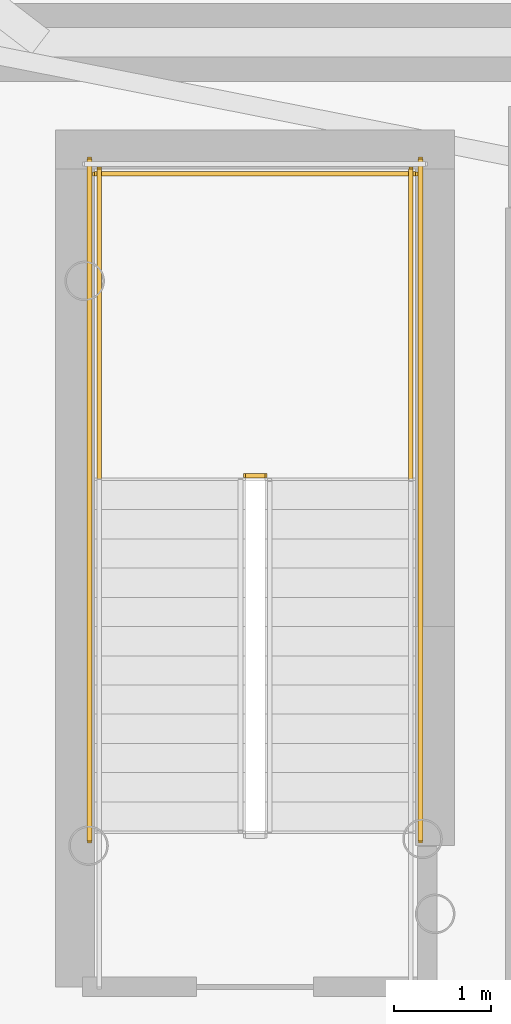
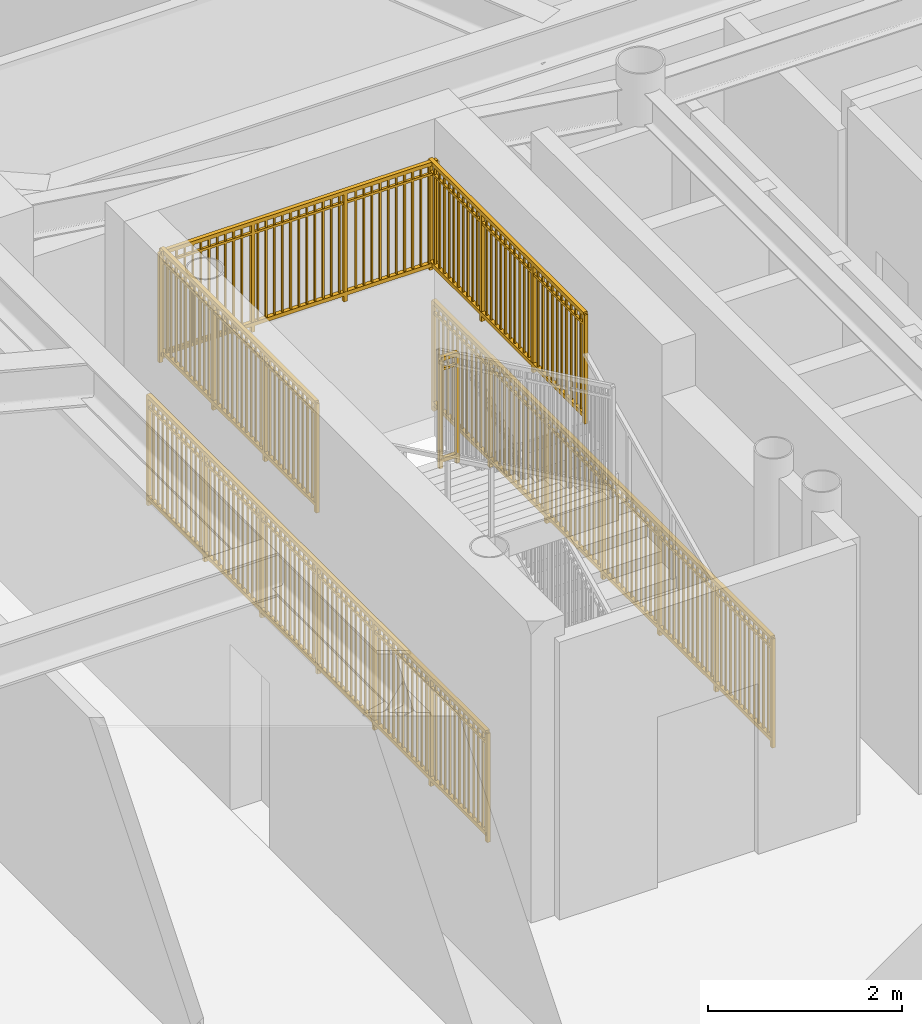
# One storey, part 19 of 22: 6 railings.
"""IFC4 building model written with IfcOpenShell, lengths in metres."""

from ifc_helpers import new_model, si_unit, direction, frame, origin, origin_2d, place, context, subcontext, project, spatial, rectangle, extrude, source, transform, mapped, material, type_object, element, save


model = new_model("IFC4")

# Units and contexts
model_context = context("Model", 3, precision=1e-05, world=origin(), true_north=direction((0.0, 1.0)))
body_context = subcontext(model_context, "Body", "Model", "MODEL_VIEW")
ifc_project = project(units=[si_unit("LENGTHUNIT", "METRE"), si_unit("AREAUNIT", "SQUARE_METRE"), si_unit("VOLUMEUNIT", "CUBIC_METRE"), si_unit("PLANEANGLEUNIT", "RADIAN"), si_unit("MASSUNIT", "GRAM", prefix="KILO")], contexts=[model_context])

# Site, building, storey
site_placement = place(None, origin())
site = spatial("IfcSite", under=ifc_project, at=site_placement, CompositionType="ELEMENT")
building_placement = place(site_placement, origin())
building = spatial("IfcBuilding", under=site, at=building_placement, Name="Linh Dai School and Residence Tower", CompositionType="ELEMENT")
storey_placement = place(building_placement, frame((0.0, 0.0, 130.949951171875)))
storey = spatial("IfcBuildingStorey", under=building, at=storey_placement, Name="L31", CompositionType="ELEMENT", Elevation=130.949951171875)

# Railings
ifc_material = material(Name="Structural Steel S355JR", Category="steel")
railing_type = type_object("IfcRailingType", Name="RL-ST-GUARD-1400", PredefinedType="GUARDRAIL", material=ifc_material)
shared_shape_1 = source(origin(), body_context, "Body", "SweptSolid", [
    extrude(rectangle(XDim=0.048095703125, YDim=0.048095703125, at=origin_2d()), frame((0.0, 0.0, 1.3759765625), z_axis=(-1.0, 0.0, 0.0), x_axis=(0.0, -1.0, 0.0)), (0.0, 0.0, 1.0), 0.199951171875),
    extrude(rectangle(XDim=0.048095703125, YDim=0.048095703125, at=origin_2d()), frame((0.0, 0.0, 0.10009765625), z_axis=(-1.0, 0.0, 0.0), x_axis=(0.0, -1.0, 0.0)), (0.0, 0.0, 1.0), 0.199951171875),
    extrude(rectangle(XDim=0.030029296875, YDim=0.030029296875, at=origin_2d()), frame((0.0, 0.0, 1.239990234375), z_axis=(-1.0, 0.0, 0.0), x_axis=(0.0, -1.0, 0.0)), (0.0, 0.0, 1.0), 0.199951171875),
    extrude(rectangle(XDim=0.0419921875, YDim=0.0419921875, at=origin_2d()), origin(), (0.0, 0.0, 1.0), 1.3759765625),
    extrude(rectangle(XDim=0.0419921875, YDim=0.0419921875, at=origin_2d()), frame((-0.199951171875, 0.0, 0.0)), (0.0, 0.0, 1.0), 1.3759765625),
])
railing_1_placement = place(storey_placement, frame((29.429931640625, 29.35009765625, 1.875)))
element("IfcRailing", 1, at=railing_1_placement, inside=storey, type_object=railing_type, Name="L31 ST1 stair guard 2", PredefinedType="GUARDRAIL", context=body_context, shape_type="MappedRepresentation", body=[
    mapped(shared_shape_1, transform((0.0, 0.0, 0.0), x_axis=(1.0, 0.0, 0.0), y_axis=(0.0, 1.0, 0.0), z_axis=(0.0, 0.0, 1.0), scale=1.0)),
])
shared_shape_2 = source(origin(), body_context, "Body", "SweptSolid", [
    extrude(rectangle(XDim=0.048095703125, YDim=0.048095703125, at=origin_2d()), frame((0.0, 0.0, 1.3759765625), z_axis=(-1.0, 0.0, 0.0), x_axis=(0.0, -1.0, 0.0)), (0.0, 0.0, 1.0), 3.300048828125),
    extrude(rectangle(XDim=0.048095703125, YDim=0.048095703125, at=origin_2d()), frame((0.0, 0.0, 0.10009765625), z_axis=(-1.0, 0.0, 0.0), x_axis=(0.0, -1.0, 0.0)), (0.0, 0.0, 1.0), 3.300048828125),
    extrude(rectangle(XDim=0.030029296875, YDim=0.030029296875, at=origin_2d()), frame((0.0, 0.0, 1.239990234375), z_axis=(-1.0, 0.0, 0.0), x_axis=(0.0, -1.0, 0.0)), (0.0, 0.0, 1.0), 3.300048828125),
    extrude(rectangle(XDim=0.02001953125, YDim=0.02001953125, at=origin_2d()), frame((-0.09716796875, 0.0, 0.10009765625)), (0.0, 0.0, 1.0), 1.251708984375),
    extrude(rectangle(XDim=0.02001953125, YDim=0.02001953125, at=origin_2d()), frame((-0.194091796875, 0.0, 0.10009765625)), (0.0, 0.0, 1.0), 1.251708984375),
    extrude(rectangle(XDim=0.02001953125, YDim=0.02001953125, at=origin_2d()), frame((-0.291259765625, 0.0, 0.10009765625)), (0.0, 0.0, 1.0), 1.251708984375),
    extrude(rectangle(XDim=0.02001953125, YDim=0.02001953125, at=origin_2d()), frame((-0.38818359375, 0.0, 0.10009765625)), (0.0, 0.0, 1.0), 1.251708984375),
    extrude(rectangle(XDim=0.02001953125, YDim=0.02001953125, at=origin_2d()), frame((-0.4853515625, 0.0, 0.10009765625)), (0.0, 0.0, 1.0), 1.251708984375),
    extrude(rectangle(XDim=0.02001953125, YDim=0.02001953125, at=origin_2d()), frame((-0.582275390625, 0.0, 0.10009765625)), (0.0, 0.0, 1.0), 1.251708984375),
    extrude(rectangle(XDim=0.02001953125, YDim=0.02001953125, at=origin_2d()), frame((-0.679443359375, 0.0, 0.10009765625)), (0.0, 0.0, 1.0), 1.251708984375),
    extrude(rectangle(XDim=0.02001953125, YDim=0.02001953125, at=origin_2d()), frame((-0.7763671875, 0.0, 0.10009765625)), (0.0, 0.0, 1.0), 1.251708984375),
    extrude(rectangle(XDim=0.02001953125, YDim=0.02001953125, at=origin_2d()), frame((-0.87353515625, 0.0, 0.10009765625)), (0.0, 0.0, 1.0), 1.251708984375),
    extrude(rectangle(XDim=0.02001953125, YDim=0.02001953125, at=origin_2d()), frame((-0.970703125, 0.0, 0.10009765625)), (0.0, 0.0, 1.0), 1.251708984375),
    extrude(rectangle(XDim=0.02001953125, YDim=0.02001953125, at=origin_2d()), frame((-1.164794921875, 0.0, 0.10009765625)), (0.0, 0.0, 1.0), 1.251708984375),
    extrude(rectangle(XDim=0.02001953125, YDim=0.02001953125, at=origin_2d()), frame((-1.26171875, 0.0, 0.10009765625)), (0.0, 0.0, 1.0), 1.251708984375),
    extrude(rectangle(XDim=0.02001953125, YDim=0.02001953125, at=origin_2d()), frame((-1.35888671875, 0.0, 0.10009765625)), (0.0, 0.0, 1.0), 1.251708984375),
    extrude(rectangle(XDim=0.02001953125, YDim=0.02001953125, at=origin_2d()), frame((-1.455810546875, 0.0, 0.10009765625)), (0.0, 0.0, 1.0), 1.251708984375),
    extrude(rectangle(XDim=0.02001953125, YDim=0.02001953125, at=origin_2d()), frame((-1.552978515625, 0.0, 0.10009765625)), (0.0, 0.0, 1.0), 1.251708984375),
    extrude(rectangle(XDim=0.02001953125, YDim=0.02001953125, at=origin_2d()), frame((-1.64990234375, 0.0, 0.10009765625)), (0.0, 0.0, 1.0), 1.251708984375),
    extrude(rectangle(XDim=0.02001953125, YDim=0.02001953125, at=origin_2d()), frame((-1.7470703125, 0.0, 0.10009765625)), (0.0, 0.0, 1.0), 1.251708984375),
    extrude(rectangle(XDim=0.02001953125, YDim=0.02001953125, at=origin_2d()), frame((-1.84423828125, 0.0, 0.10009765625)), (0.0, 0.0, 1.0), 1.251708984375),
    extrude(rectangle(XDim=0.02001953125, YDim=0.02001953125, at=origin_2d()), frame((-1.941162109375, 0.0, 0.10009765625)), (0.0, 0.0, 1.0), 1.251708984375),
    extrude(rectangle(XDim=0.02001953125, YDim=0.02001953125, at=origin_2d()), frame((-2.038330078125, 0.0, 0.10009765625)), (0.0, 0.0, 1.0), 1.251708984375),
    extrude(rectangle(XDim=0.02001953125, YDim=0.02001953125, at=origin_2d()), frame((-2.13525390625, 0.0, 0.10009765625)), (0.0, 0.0, 1.0), 1.251708984375),
    extrude(rectangle(XDim=0.02001953125, YDim=0.02001953125, at=origin_2d()), frame((-2.329345703125, 0.0, 0.10009765625)), (0.0, 0.0, 1.0), 1.251708984375),
    extrude(rectangle(XDim=0.02001953125, YDim=0.02001953125, at=origin_2d()), frame((-2.426513671875, 0.0, 0.10009765625)), (0.0, 0.0, 1.0), 1.251708984375),
    extrude(rectangle(XDim=0.02001953125, YDim=0.02001953125, at=origin_2d()), frame((-2.523681640625, 0.0, 0.10009765625)), (0.0, 0.0, 1.0), 1.251708984375),
    extrude(rectangle(XDim=0.02001953125, YDim=0.02001953125, at=origin_2d()), frame((-2.62060546875, 0.0, 0.10009765625)), (0.0, 0.0, 1.0), 1.251708984375),
    extrude(rectangle(XDim=0.02001953125, YDim=0.02001953125, at=origin_2d()), frame((-2.7177734375, 0.0, 0.10009765625)), (0.0, 0.0, 1.0), 1.251708984375),
    extrude(rectangle(XDim=0.02001953125, YDim=0.02001953125, at=origin_2d()), frame((-2.814697265625, 0.0, 0.10009765625)), (0.0, 0.0, 1.0), 1.251708984375),
    extrude(rectangle(XDim=0.02001953125, YDim=0.02001953125, at=origin_2d()), frame((-2.911865234375, 0.0, 0.10009765625)), (0.0, 0.0, 1.0), 1.251708984375),
    extrude(rectangle(XDim=0.02001953125, YDim=0.02001953125, at=origin_2d()), frame((-3.0087890625, 0.0, 0.10009765625)), (0.0, 0.0, 1.0), 1.251708984375),
    extrude(rectangle(XDim=0.02001953125, YDim=0.02001953125, at=origin_2d()), frame((-3.10595703125, 0.0, 0.10009765625)), (0.0, 0.0, 1.0), 1.251708984375),
    extrude(rectangle(XDim=0.02001953125, YDim=0.02001953125, at=origin_2d()), frame((-3.202880859375, 0.0, 0.10009765625)), (0.0, 0.0, 1.0), 1.251708984375),
    extrude(rectangle(XDim=0.0419921875, YDim=0.0419921875, at=origin_2d()), origin(), (0.0, 0.0, 1.0), 1.3759765625),
    extrude(rectangle(XDim=0.0419921875, YDim=0.0419921875, at=origin_2d()), frame((-1.10009765625, 0.0, 0.0)), (0.0, 0.0, 1.0), 1.3759765625),
    extrude(rectangle(XDim=0.0419921875, YDim=0.0419921875, at=origin_2d()), frame((-2.199951171875, 0.0, 0.0)), (0.0, 0.0, 1.0), 1.3759765625),
    extrude(rectangle(XDim=0.0419921875, YDim=0.0419921875, at=origin_2d()), frame((-3.300048828125, 0.0, 0.0)), (0.0, 0.0, 1.0), 1.3759765625),
])
railing_2_placement = place(storey_placement, frame((30.97998046875, 32.449951171875, 1.875)))
element("IfcRailing", 2, at=railing_2_placement, inside=storey, type_object=railing_type, Name="L31 ST1 stair guard 5", PredefinedType="GUARDRAIL", context=body_context, shape_type="MappedRepresentation", body=[
    mapped(shared_shape_2, transform((0.0, 0.0, 0.0), x_axis=(1.0, 0.0, 0.0), y_axis=(0.0, 1.0, 0.0), z_axis=(0.0, 0.0, 1.0), scale=1.0)),
])
shared_shape_3 = source(origin(), body_context, "Body", "SweptSolid", [
    extrude(rectangle(XDim=0.048095703125, YDim=0.048095703125, at=origin_2d()), frame((0.0, 0.0, 1.3759765625), z_axis=(0.0, 1.0, 0.0), x_axis=(-1.0, 0.0, 0.0)), (0.0, 0.0, 1.0), 7.0),
    extrude(rectangle(XDim=0.048095703125, YDim=0.048095703125, at=origin_2d()), frame((0.0, 0.0, 0.10009765625), z_axis=(0.0, 1.0, 0.0), x_axis=(-1.0, 0.0, 0.0)), (0.0, 0.0, 1.0), 7.0),
    extrude(rectangle(XDim=0.030029296875, YDim=0.030029296875, at=origin_2d()), frame((0.0, 0.0, 1.239990234375), z_axis=(0.0, 1.0, 0.0), x_axis=(-1.0, 0.0, 0.0)), (0.0, 0.0, 1.0), 7.0),
    extrude(rectangle(XDim=0.02001953125, YDim=0.02001953125, at=origin_2d()), frame((0.0, 0.09716796875, 0.10009765625)), (0.0, 0.0, 1.0), 1.251708984375),
    extrude(rectangle(XDim=0.02001953125, YDim=0.02001953125, at=origin_2d()), frame((0.0, 0.1943359375, 0.10009765625)), (0.0, 0.0, 1.0), 1.251708984375),
    extrude(rectangle(XDim=0.02001953125, YDim=0.02001953125, at=origin_2d()), frame((0.0, 0.291748046875, 0.10009765625)), (0.0, 0.0, 1.0), 1.251708984375),
    extrude(rectangle(XDim=0.02001953125, YDim=0.02001953125, at=origin_2d()), frame((0.0, 0.388916015625, 0.10009765625)), (0.0, 0.0, 1.0), 1.251708984375),
    extrude(rectangle(XDim=0.02001953125, YDim=0.02001953125, at=origin_2d()), frame((0.0, 0.486083984375, 0.10009765625)), (0.0, 0.0, 1.0), 1.251708984375),
    extrude(rectangle(XDim=0.02001953125, YDim=0.02001953125, at=origin_2d()), frame((0.0, 0.583251953125, 0.10009765625)), (0.0, 0.0, 1.0), 1.251708984375),
    extrude(rectangle(XDim=0.02001953125, YDim=0.02001953125, at=origin_2d()), frame((0.0, 0.6806640625, 0.10009765625)), (0.0, 0.0, 1.0), 1.251708984375),
    extrude(rectangle(XDim=0.02001953125, YDim=0.02001953125, at=origin_2d()), frame((0.0, 0.77783203125, 0.10009765625)), (0.0, 0.0, 1.0), 1.251708984375),
    extrude(rectangle(XDim=0.02001953125, YDim=0.02001953125, at=origin_2d()), frame((0.0, 0.875, 0.10009765625)), (0.0, 0.0, 1.0), 1.251708984375),
    extrude(rectangle(XDim=0.02001953125, YDim=0.02001953125, at=origin_2d()), frame((0.0, 0.97216796875, 0.10009765625)), (0.0, 0.0, 1.0), 1.251708984375),
    extrude(rectangle(XDim=0.02001953125, YDim=0.02001953125, at=origin_2d()), frame((0.0, 1.0693359375, 0.10009765625)), (0.0, 0.0, 1.0), 1.251708984375),
    extrude(rectangle(XDim=0.02001953125, YDim=0.02001953125, at=origin_2d()), frame((0.0, 1.263916015625, 0.10009765625)), (0.0, 0.0, 1.0), 1.251708984375),
    extrude(rectangle(XDim=0.02001953125, YDim=0.02001953125, at=origin_2d()), frame((0.0, 1.361083984375, 0.10009765625)), (0.0, 0.0, 1.0), 1.251708984375),
    extrude(rectangle(XDim=0.02001953125, YDim=0.02001953125, at=origin_2d()), frame((0.0, 1.458251953125, 0.10009765625)), (0.0, 0.0, 1.0), 1.251708984375),
    extrude(rectangle(XDim=0.02001953125, YDim=0.02001953125, at=origin_2d()), frame((0.0, 1.5556640625, 0.10009765625)), (0.0, 0.0, 1.0), 1.251708984375),
    extrude(rectangle(XDim=0.02001953125, YDim=0.02001953125, at=origin_2d()), frame((0.0, 1.65283203125, 0.10009765625)), (0.0, 0.0, 1.0), 1.251708984375),
    extrude(rectangle(XDim=0.02001953125, YDim=0.02001953125, at=origin_2d()), frame((0.0, 1.75, 0.10009765625)), (0.0, 0.0, 1.0), 1.251708984375),
    extrude(rectangle(XDim=0.02001953125, YDim=0.02001953125, at=origin_2d()), frame((0.0, 1.84716796875, 0.10009765625)), (0.0, 0.0, 1.0), 1.251708984375),
    extrude(rectangle(XDim=0.02001953125, YDim=0.02001953125, at=origin_2d()), frame((0.0, 1.9443359375, 0.10009765625)), (0.0, 0.0, 1.0), 1.251708984375),
    extrude(rectangle(XDim=0.02001953125, YDim=0.02001953125, at=origin_2d()), frame((0.0, 2.041748046875, 0.10009765625)), (0.0, 0.0, 1.0), 1.251708984375),
    extrude(rectangle(XDim=0.02001953125, YDim=0.02001953125, at=origin_2d()), frame((0.0, 2.138916015625, 0.10009765625)), (0.0, 0.0, 1.0), 1.251708984375),
    extrude(rectangle(XDim=0.02001953125, YDim=0.02001953125, at=origin_2d()), frame((0.0, 2.236083984375, 0.10009765625)), (0.0, 0.0, 1.0), 1.251708984375),
    extrude(rectangle(XDim=0.02001953125, YDim=0.02001953125, at=origin_2d()), frame((0.0, 2.4306640625, 0.10009765625)), (0.0, 0.0, 1.0), 1.251708984375),
    extrude(rectangle(XDim=0.02001953125, YDim=0.02001953125, at=origin_2d()), frame((0.0, 2.52783203125, 0.10009765625)), (0.0, 0.0, 1.0), 1.251708984375),
    extrude(rectangle(XDim=0.02001953125, YDim=0.02001953125, at=origin_2d()), frame((0.0, 2.625, 0.10009765625)), (0.0, 0.0, 1.0), 1.251708984375),
    extrude(rectangle(XDim=0.02001953125, YDim=0.02001953125, at=origin_2d()), frame((0.0, 2.72216796875, 0.10009765625)), (0.0, 0.0, 1.0), 1.251708984375),
    extrude(rectangle(XDim=0.02001953125, YDim=0.02001953125, at=origin_2d()), frame((0.0, 2.8193359375, 0.10009765625)), (0.0, 0.0, 1.0), 1.251708984375),
    extrude(rectangle(XDim=0.02001953125, YDim=0.02001953125, at=origin_2d()), frame((0.0, 2.916748046875, 0.10009765625)), (0.0, 0.0, 1.0), 1.251708984375),
    extrude(rectangle(XDim=0.02001953125, YDim=0.02001953125, at=origin_2d()), frame((0.0, 3.013916015625, 0.10009765625)), (0.0, 0.0, 1.0), 1.251708984375),
    extrude(rectangle(XDim=0.02001953125, YDim=0.02001953125, at=origin_2d()), frame((0.0, 3.111083984375, 0.10009765625)), (0.0, 0.0, 1.0), 1.251708984375),
    extrude(rectangle(XDim=0.02001953125, YDim=0.02001953125, at=origin_2d()), frame((0.0, 3.208251953125, 0.10009765625)), (0.0, 0.0, 1.0), 1.251708984375),
    extrude(rectangle(XDim=0.02001953125, YDim=0.02001953125, at=origin_2d()), frame((0.0, 3.3056640625, 0.10009765625)), (0.0, 0.0, 1.0), 1.251708984375),
    extrude(rectangle(XDim=0.02001953125, YDim=0.02001953125, at=origin_2d()), frame((0.0, 3.40283203125, 0.10009765625)), (0.0, 0.0, 1.0), 1.251708984375),
    extrude(rectangle(XDim=0.02001953125, YDim=0.02001953125, at=origin_2d()), frame((0.0, 3.59716796875, 0.10009765625)), (0.0, 0.0, 1.0), 1.251708984375),
    extrude(rectangle(XDim=0.02001953125, YDim=0.02001953125, at=origin_2d()), frame((0.0, 3.6943359375, 0.10009765625)), (0.0, 0.0, 1.0), 1.251708984375),
    extrude(rectangle(XDim=0.02001953125, YDim=0.02001953125, at=origin_2d()), frame((0.0, 3.791748046875, 0.10009765625)), (0.0, 0.0, 1.0), 1.251708984375),
    extrude(rectangle(XDim=0.02001953125, YDim=0.02001953125, at=origin_2d()), frame((0.0, 3.888916015625, 0.10009765625)), (0.0, 0.0, 1.0), 1.251708984375),
    extrude(rectangle(XDim=0.02001953125, YDim=0.02001953125, at=origin_2d()), frame((0.0, 3.986083984375, 0.10009765625)), (0.0, 0.0, 1.0), 1.251708984375),
    extrude(rectangle(XDim=0.02001953125, YDim=0.02001953125, at=origin_2d()), frame((0.0, 4.083251953125, 0.10009765625)), (0.0, 0.0, 1.0), 1.251708984375),
    extrude(rectangle(XDim=0.02001953125, YDim=0.02001953125, at=origin_2d()), frame((0.0, 4.1806640625, 0.10009765625)), (0.0, 0.0, 1.0), 1.251708984375),
    extrude(rectangle(XDim=0.02001953125, YDim=0.02001953125, at=origin_2d()), frame((0.0, 4.27783203125, 0.10009765625)), (0.0, 0.0, 1.0), 1.251708984375),
    extrude(rectangle(XDim=0.02001953125, YDim=0.02001953125, at=origin_2d()), frame((0.0, 4.375, 0.10009765625)), (0.0, 0.0, 1.0), 1.251708984375),
    extrude(rectangle(XDim=0.02001953125, YDim=0.02001953125, at=origin_2d()), frame((0.0, 4.47216796875, 0.10009765625)), (0.0, 0.0, 1.0), 1.251708984375),
    extrude(rectangle(XDim=0.02001953125, YDim=0.02001953125, at=origin_2d()), frame((0.0, 4.5693359375, 0.10009765625)), (0.0, 0.0, 1.0), 1.251708984375),
    extrude(rectangle(XDim=0.02001953125, YDim=0.02001953125, at=origin_2d()), frame((0.0, 4.763916015625, 0.10009765625)), (0.0, 0.0, 1.0), 1.251708984375),
    extrude(rectangle(XDim=0.02001953125, YDim=0.02001953125, at=origin_2d()), frame((0.0, 4.861083984375, 0.10009765625)), (0.0, 0.0, 1.0), 1.251708984375),
    extrude(rectangle(XDim=0.02001953125, YDim=0.02001953125, at=origin_2d()), frame((0.0, 4.958251953125, 0.10009765625)), (0.0, 0.0, 1.0), 1.251708984375),
    extrude(rectangle(XDim=0.02001953125, YDim=0.02001953125, at=origin_2d()), frame((0.0, 5.0556640625, 0.10009765625)), (0.0, 0.0, 1.0), 1.251708984375),
    extrude(rectangle(XDim=0.02001953125, YDim=0.02001953125, at=origin_2d()), frame((0.0, 5.15283203125, 0.10009765625)), (0.0, 0.0, 1.0), 1.251708984375),
    extrude(rectangle(XDim=0.02001953125, YDim=0.02001953125, at=origin_2d()), frame((0.0, 5.25, 0.10009765625)), (0.0, 0.0, 1.0), 1.251708984375),
    extrude(rectangle(XDim=0.02001953125, YDim=0.02001953125, at=origin_2d()), frame((0.0, 5.34716796875, 0.10009765625)), (0.0, 0.0, 1.0), 1.251708984375),
    extrude(rectangle(XDim=0.02001953125, YDim=0.02001953125, at=origin_2d()), frame((0.0, 5.4443359375, 0.10009765625)), (0.0, 0.0, 1.0), 1.251708984375),
    extrude(rectangle(XDim=0.02001953125, YDim=0.02001953125, at=origin_2d()), frame((0.0, 5.541748046875, 0.10009765625)), (0.0, 0.0, 1.0), 1.251708984375),
    extrude(rectangle(XDim=0.02001953125, YDim=0.02001953125, at=origin_2d()), frame((0.0, 5.638916015625, 0.10009765625)), (0.0, 0.0, 1.0), 1.251708984375),
    extrude(rectangle(XDim=0.02001953125, YDim=0.02001953125, at=origin_2d()), frame((0.0, 5.736083984375, 0.10009765625)), (0.0, 0.0, 1.0), 1.251708984375),
    extrude(rectangle(XDim=0.02001953125, YDim=0.02001953125, at=origin_2d()), frame((0.0, 5.9306640625, 0.10009765625)), (0.0, 0.0, 1.0), 1.251708984375),
    extrude(rectangle(XDim=0.02001953125, YDim=0.02001953125, at=origin_2d()), frame((0.0, 6.02783203125, 0.10009765625)), (0.0, 0.0, 1.0), 1.251708984375),
    extrude(rectangle(XDim=0.02001953125, YDim=0.02001953125, at=origin_2d()), frame((0.0, 6.125, 0.10009765625)), (0.0, 0.0, 1.0), 1.251708984375),
    extrude(rectangle(XDim=0.02001953125, YDim=0.02001953125, at=origin_2d()), frame((0.0, 6.22216796875, 0.10009765625)), (0.0, 0.0, 1.0), 1.251708984375),
    extrude(rectangle(XDim=0.02001953125, YDim=0.02001953125, at=origin_2d()), frame((0.0, 6.3193359375, 0.10009765625)), (0.0, 0.0, 1.0), 1.251708984375),
    extrude(rectangle(XDim=0.02001953125, YDim=0.02001953125, at=origin_2d()), frame((0.0, 6.416748046875, 0.10009765625)), (0.0, 0.0, 1.0), 1.251708984375),
    extrude(rectangle(XDim=0.02001953125, YDim=0.02001953125, at=origin_2d()), frame((0.0, 6.513916015625, 0.10009765625)), (0.0, 0.0, 1.0), 1.251708984375),
    extrude(rectangle(XDim=0.02001953125, YDim=0.02001953125, at=origin_2d()), frame((0.0, 6.611083984375, 0.10009765625)), (0.0, 0.0, 1.0), 1.251708984375),
    extrude(rectangle(XDim=0.02001953125, YDim=0.02001953125, at=origin_2d()), frame((0.0, 6.708251953125, 0.10009765625)), (0.0, 0.0, 1.0), 1.251708984375),
    extrude(rectangle(XDim=0.02001953125, YDim=0.02001953125, at=origin_2d()), frame((0.0, 6.8056640625, 0.10009765625)), (0.0, 0.0, 1.0), 1.251708984375),
    extrude(rectangle(XDim=0.02001953125, YDim=0.02001953125, at=origin_2d()), frame((0.0, 6.90283203125, 0.10009765625)), (0.0, 0.0, 1.0), 1.251708984375),
    extrude(rectangle(XDim=0.0419921875, YDim=0.0419921875, at=origin_2d()), origin(), (0.0, 0.0, 1.0), 1.3759765625),
    extrude(rectangle(XDim=0.0419921875, YDim=0.0419921875, at=origin_2d()), frame((0.0, 1.166748046875, 0.0)), (0.0, 0.0, 1.0), 1.3759765625),
    extrude(rectangle(XDim=0.0419921875, YDim=0.0419921875, at=origin_2d()), frame((0.0, 2.333251953125, 0.0)), (0.0, 0.0, 1.0), 1.3759765625),
    extrude(rectangle(XDim=0.0419921875, YDim=0.0419921875, at=origin_2d()), frame((0.0, 3.5, 0.0)), (0.0, 0.0, 1.0), 1.3759765625),
    extrude(rectangle(XDim=0.0419921875, YDim=0.0419921875, at=origin_2d()), frame((0.0, 4.666748046875, 0.0)), (0.0, 0.0, 1.0), 1.3759765625),
    extrude(rectangle(XDim=0.0419921875, YDim=0.0419921875, at=origin_2d()), frame((0.0, 5.833251953125, 0.0)), (0.0, 0.0, 1.0), 1.3759765625),
    extrude(rectangle(XDim=0.0419921875, YDim=0.0419921875, at=origin_2d()), frame((0.0, 7.0, 0.0)), (0.0, 0.0, 1.0), 1.3759765625),
])
for number, where, name in (
    (3, (31.030029296875, 25.60009765625, 0.0), "L31 ST1 stair guard 10"),
    (4, (27.6298828125, 25.60009765625, 0.0), "L31 ST1 stair guard 11"),
):
    element("IfcRailing", number, at=place(storey_placement, frame(where)), inside=storey, type_object=railing_type, Name=name, PredefinedType="GUARDRAIL", context=body_context, shape_type="MappedRepresentation", body=[
        mapped(shared_shape_3, transform((0.0, 0.0, 0.0), x_axis=(1.0, 0.0, 0.0), y_axis=(0.0, 1.0, 0.0), z_axis=(0.0, 0.0, 1.0), scale=1.0)),
    ])
shared_shape_4 = source(origin(), body_context, "Body", "SweptSolid", [
    extrude(rectangle(XDim=0.048095703125, YDim=0.048095703125, at=origin_2d()), frame((0.0, 0.0, 1.3759765625), z_axis=(0.0, 1.0, 0.0), x_axis=(-1.0, 0.0, 0.0)), (0.0, 0.0, 1.0), 3.199951171875),
    extrude(rectangle(XDim=0.048095703125, YDim=0.048095703125, at=origin_2d()), frame((0.0, 0.0, 0.10009765625), z_axis=(0.0, 1.0, 0.0), x_axis=(-1.0, 0.0, 0.0)), (0.0, 0.0, 1.0), 3.199951171875),
    extrude(rectangle(XDim=0.030029296875, YDim=0.030029296875, at=origin_2d()), frame((0.0, 0.0, 1.239990234375), z_axis=(0.0, 1.0, 0.0), x_axis=(-1.0, 0.0, 0.0)), (0.0, 0.0, 1.0), 3.199951171875),
    extrude(rectangle(XDim=0.02001953125, YDim=0.02001953125, at=origin_2d()), frame((0.0, 0.096923828125, 0.10009765625)), (0.0, 0.0, 1.0), 1.251708984375),
    extrude(rectangle(XDim=0.02001953125, YDim=0.02001953125, at=origin_2d()), frame((0.0, 0.19384765625, 0.10009765625)), (0.0, 0.0, 1.0), 1.251708984375),
    extrude(rectangle(XDim=0.02001953125, YDim=0.02001953125, at=origin_2d()), frame((0.0, 0.291015625, 0.10009765625)), (0.0, 0.0, 1.0), 1.251708984375),
    extrude(rectangle(XDim=0.02001953125, YDim=0.02001953125, at=origin_2d()), frame((0.0, 0.387939453125, 0.10009765625)), (0.0, 0.0, 1.0), 1.251708984375),
    extrude(rectangle(XDim=0.02001953125, YDim=0.02001953125, at=origin_2d()), frame((0.0, 0.48486328125, 0.10009765625)), (0.0, 0.0, 1.0), 1.251708984375),
    extrude(rectangle(XDim=0.02001953125, YDim=0.02001953125, at=origin_2d()), frame((0.0, 0.581787109375, 0.10009765625)), (0.0, 0.0, 1.0), 1.251708984375),
    extrude(rectangle(XDim=0.02001953125, YDim=0.02001953125, at=origin_2d()), frame((0.0, 0.6787109375, 0.10009765625)), (0.0, 0.0, 1.0), 1.251708984375),
    extrude(rectangle(XDim=0.02001953125, YDim=0.02001953125, at=origin_2d()), frame((0.0, 0.775634765625, 0.10009765625)), (0.0, 0.0, 1.0), 1.251708984375),
    extrude(rectangle(XDim=0.02001953125, YDim=0.02001953125, at=origin_2d()), frame((0.0, 0.872802734375, 0.10009765625)), (0.0, 0.0, 1.0), 1.251708984375),
    extrude(rectangle(XDim=0.02001953125, YDim=0.02001953125, at=origin_2d()), frame((0.0, 0.9697265625, 0.10009765625)), (0.0, 0.0, 1.0), 1.251708984375),
    extrude(rectangle(XDim=0.02001953125, YDim=0.02001953125, at=origin_2d()), frame((0.0, 1.16357421875, 0.10009765625)), (0.0, 0.0, 1.0), 1.251708984375),
    extrude(rectangle(XDim=0.02001953125, YDim=0.02001953125, at=origin_2d()), frame((0.0, 1.260498046875, 0.10009765625)), (0.0, 0.0, 1.0), 1.251708984375),
    extrude(rectangle(XDim=0.02001953125, YDim=0.02001953125, at=origin_2d()), frame((0.0, 1.357666015625, 0.10009765625)), (0.0, 0.0, 1.0), 1.251708984375),
    extrude(rectangle(XDim=0.02001953125, YDim=0.02001953125, at=origin_2d()), frame((0.0, 1.45458984375, 0.10009765625)), (0.0, 0.0, 1.0), 1.251708984375),
    extrude(rectangle(XDim=0.02001953125, YDim=0.02001953125, at=origin_2d()), frame((0.0, 1.551513671875, 0.10009765625)), (0.0, 0.0, 1.0), 1.251708984375),
    extrude(rectangle(XDim=0.02001953125, YDim=0.02001953125, at=origin_2d()), frame((0.0, 1.6484375, 0.10009765625)), (0.0, 0.0, 1.0), 1.251708984375),
    extrude(rectangle(XDim=0.02001953125, YDim=0.02001953125, at=origin_2d()), frame((0.0, 1.745361328125, 0.10009765625)), (0.0, 0.0, 1.0), 1.251708984375),
    extrude(rectangle(XDim=0.02001953125, YDim=0.02001953125, at=origin_2d()), frame((0.0, 1.84228515625, 0.10009765625)), (0.0, 0.0, 1.0), 1.251708984375),
    extrude(rectangle(XDim=0.02001953125, YDim=0.02001953125, at=origin_2d()), frame((0.0, 1.939453125, 0.10009765625)), (0.0, 0.0, 1.0), 1.251708984375),
    extrude(rectangle(XDim=0.02001953125, YDim=0.02001953125, at=origin_2d()), frame((0.0, 2.036376953125, 0.10009765625)), (0.0, 0.0, 1.0), 1.251708984375),
    extrude(rectangle(XDim=0.02001953125, YDim=0.02001953125, at=origin_2d()), frame((0.0, 2.230224609375, 0.10009765625)), (0.0, 0.0, 1.0), 1.251708984375),
    extrude(rectangle(XDim=0.02001953125, YDim=0.02001953125, at=origin_2d()), frame((0.0, 2.3271484375, 0.10009765625)), (0.0, 0.0, 1.0), 1.251708984375),
    extrude(rectangle(XDim=0.02001953125, YDim=0.02001953125, at=origin_2d()), frame((0.0, 2.42431640625, 0.10009765625)), (0.0, 0.0, 1.0), 1.251708984375),
    extrude(rectangle(XDim=0.02001953125, YDim=0.02001953125, at=origin_2d()), frame((0.0, 2.521240234375, 0.10009765625)), (0.0, 0.0, 1.0), 1.251708984375),
    extrude(rectangle(XDim=0.02001953125, YDim=0.02001953125, at=origin_2d()), frame((0.0, 2.6181640625, 0.10009765625)), (0.0, 0.0, 1.0), 1.251708984375),
    extrude(rectangle(XDim=0.02001953125, YDim=0.02001953125, at=origin_2d()), frame((0.0, 2.715087890625, 0.10009765625)), (0.0, 0.0, 1.0), 1.251708984375),
    extrude(rectangle(XDim=0.02001953125, YDim=0.02001953125, at=origin_2d()), frame((0.0, 2.81201171875, 0.10009765625)), (0.0, 0.0, 1.0), 1.251708984375),
    extrude(rectangle(XDim=0.02001953125, YDim=0.02001953125, at=origin_2d()), frame((0.0, 2.908935546875, 0.10009765625)), (0.0, 0.0, 1.0), 1.251708984375),
    extrude(rectangle(XDim=0.02001953125, YDim=0.02001953125, at=origin_2d()), frame((0.0, 3.006103515625, 0.10009765625)), (0.0, 0.0, 1.0), 1.251708984375),
    extrude(rectangle(XDim=0.02001953125, YDim=0.02001953125, at=origin_2d()), frame((0.0, 3.10302734375, 0.10009765625)), (0.0, 0.0, 1.0), 1.251708984375),
    extrude(rectangle(XDim=0.0419921875, YDim=0.0419921875, at=origin_2d()), origin(), (0.0, 0.0, 1.0), 1.3759765625),
    extrude(rectangle(XDim=0.0419921875, YDim=0.0419921875, at=origin_2d()), frame((0.0, 1.066650390625, 0.0)), (0.0, 0.0, 1.0), 1.3759765625),
    extrude(rectangle(XDim=0.0419921875, YDim=0.0419921875, at=origin_2d()), frame((0.0, 2.13330078125, 0.0)), (0.0, 0.0, 1.0), 1.3759765625),
    extrude(rectangle(XDim=0.0419921875, YDim=0.0419921875, at=origin_2d()), frame((0.0, 3.199951171875, 0.0)), (0.0, 0.0, 1.0), 1.3759765625),
])
for number, where, name in (
    (5, (30.929931640625, 29.300048828125, 1.875), "L31 ST1 stair guard 3"),
    (6, (27.72998046875, 29.300048828125, 1.875), "L31 ST1 stair guard 4"),
):
    element("IfcRailing", number, at=place(storey_placement, frame(where)), inside=storey, type_object=railing_type, Name=name, PredefinedType="GUARDRAIL", context=body_context, shape_type="MappedRepresentation", body=[
        mapped(shared_shape_4, transform((0.0, 0.0, 0.0), x_axis=(1.0, 0.0, 0.0), y_axis=(0.0, 1.0, 0.0), z_axis=(0.0, 0.0, 1.0), scale=1.0)),
    ])

save(model, "model.ifc")
